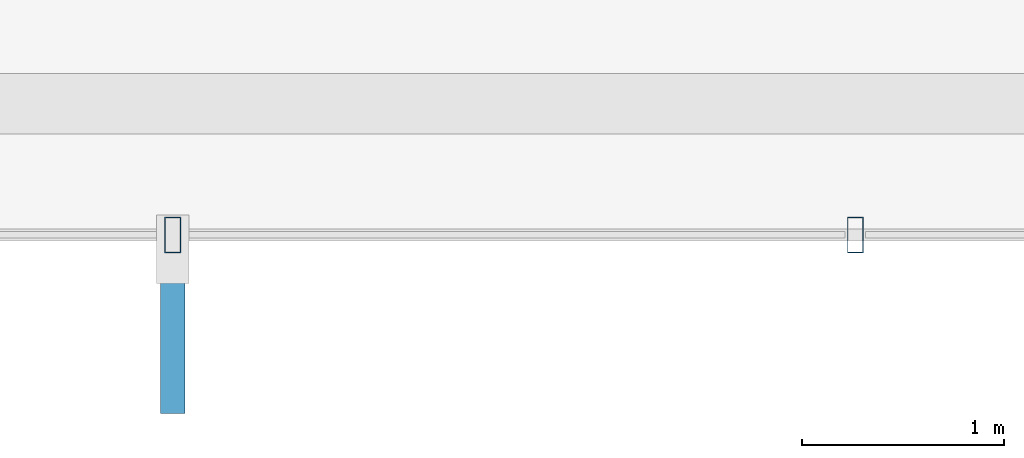
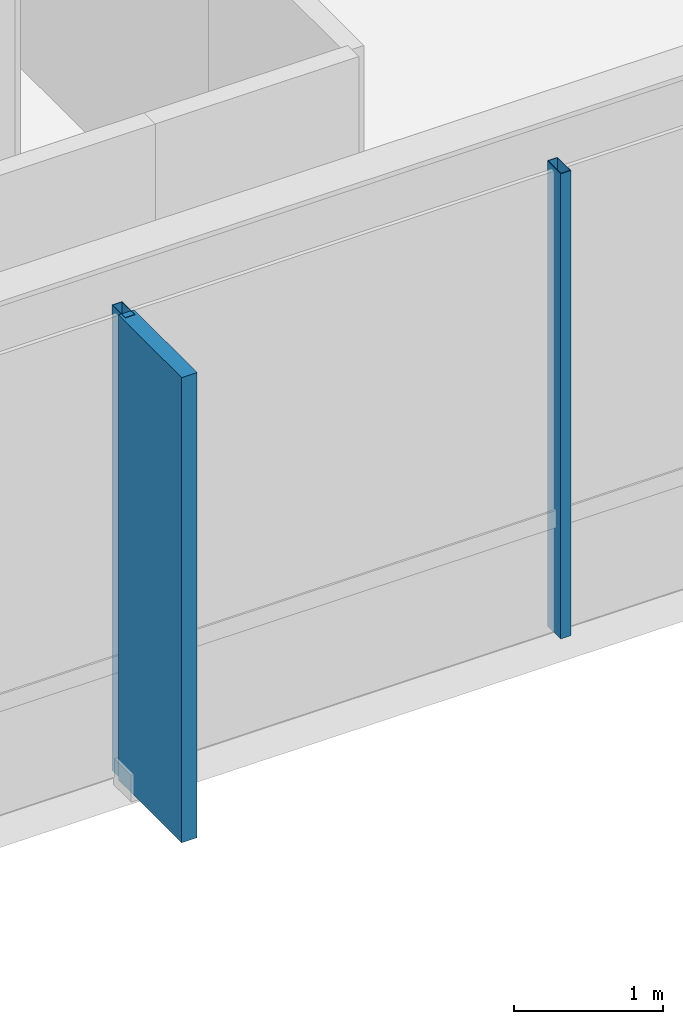
# One storey, part 8 of 24: 3 members, 1 element without a shape of its own.
"""IFC4 building model written with IfcOpenShell, lengths in metres."""

from ifc_helpers import new_model, si_unit, direction, frame, origin, origin_2d, place, context, subcontext, project, spatial, rectangle, hollow_rectangle, extrude, material, layer, layer_set, material_profile, profile_set, type_object, element, aggregate, save


model = new_model("IFC4")

# Units and contexts
model_context = context("Model", 3, precision=1e-05, world=origin(), true_north=direction((0.0, 1.0)))
body_context = subcontext(model_context, "Body", "Model", "MODEL_VIEW")
ifc_project = project(units=[si_unit("LENGTHUNIT", "METRE"), si_unit("AREAUNIT", "SQUARE_METRE"), si_unit("VOLUMEUNIT", "CUBIC_METRE"), si_unit("PLANEANGLEUNIT", "RADIAN"), si_unit("MASSUNIT", "GRAM", prefix="KILO")], contexts=[model_context])

# Site, building, storey
site_placement = place(None, origin())
site = spatial("IfcSite", under=ifc_project, at=site_placement, CompositionType="ELEMENT")
building_placement = place(site_placement, origin())
building = spatial("IfcBuilding", under=site, at=building_placement, Name="Zarrinselat Tower", CompositionType="ELEMENT")
storey_placement = place(building_placement, frame((0.0, 0.0, 76.5)))
storey = spatial("IfcBuildingStorey", under=building, at=storey_placement, Name="L18", CompositionType="ELEMENT", Elevation=76.5)

# Curtain wall, members
ifc_material_1 = material(Name="Extruded Aluminium Alloy EN AW-6063 T6", Category="aluminium")
ifc_layer = layer(ifc_material_1, 0.18505859375)
ifc_layer_set = layer_set([ifc_layer], Name="Extruded Aluminium Alloy EN AW-6063 T6")
curtain_wall_type = type_object("IfcCurtainWallType", Name="CWS-OFF", PredefinedType="NOTDEFINED", material=ifc_layer_set)
curtain_wall_placement = place(storey_placement, origin())
curtain_wall = element("IfcCurtainWall", 1, at=curtain_wall_placement, inside=storey, type_object=curtain_wall_type, Name="L18 Unitised Curtain Wall CW-L18-E04", PredefinedType="NOTDEFINED")
ifc_material_2 = material(Name="Extruded Aluminium Alloy EN AW-6063 T6", Category="aluminium")
ifc_material_profile_1 = material_profile(ifc_material_2, hollow_rectangle(XDim=0.080078125, YDim=0.179931640625, WallThickness=0.0048828125, at=origin_2d()), Name="RHS 180x80x5")
ifc_profile_set_1 = profile_set([ifc_material_profile_1], Name="Extruded Aluminium Alloy EN AW-6063 T6")
member_type_1 = type_object("IfcMemberType", Name="MEM-CW-MUL", PredefinedType="MULLION", material=ifc_profile_set_1)
member_1_placement = place(storey_placement, frame((41.78173828125, 18.60498046875, 0.0), z_axis=(0.0, 0.0, 1.0), x_axis=(1.0, 0.0, 0.0)))
member_1 = element("IfcMember", 2, at=member_1_placement, type_object=member_type_1, Name="CW-L18-E04 Mullion 5", PredefinedType="MULLION", context=body_context, shape_type="SweptSolid", body=[
    extrude(hollow_rectangle(XDim=0.080078125, YDim=0.179931640625, WallThickness=0.0048828125, at=origin_2d()), origin(), (0.0, 0.0, 1.0), 3.820068359375),
])
member_2_placement = place(storey_placement, frame((45.16357421875, 18.60498046875, 0.0), z_axis=(0.0, 0.0, 1.0), x_axis=(1.0, 0.0, 0.0)))
member_2 = element("IfcMember", 3, at=member_2_placement, type_object=member_type_1, Name="CW-L18-E04 Mullion 6", PredefinedType="MULLION", context=body_context, shape_type="SweptSolid", body=[
    extrude(hollow_rectangle(XDim=0.080078125, YDim=0.179931640625, WallThickness=0.0048828125, at=origin_2d()), origin(), (0.0, 0.0, 1.0), 3.820068359375),
])
ifc_material_3 = material(Name="Honed Cream Travertine Stone", Category="masonry")
ifc_material_profile_2 = material_profile(ifc_material_3, rectangle(XDim=0.1201171875, YDim=0.85009765625, at=origin_2d()), Name="FIN 850x120")
ifc_profile_set_2 = profile_set([ifc_material_profile_2], Name="Honed Cream Travertine Stone")
member_type_2 = type_object("IfcMemberType", Name="MEM-STONE-FIN", PredefinedType="USERDEFINED", material=ifc_profile_set_2)
member_3_placement = place(storey_placement, frame((41.78173828125, 18.14501953125, 0.0), z_axis=(0.0, 0.0, 1.0), x_axis=(-1.0, 0.0, 0.0)))
member_3 = element("IfcMember", 4, at=member_3_placement, type_object=member_type_2, Name="L18 Stone Shading Fin CW-L18-E04-05", ObjectType="FIN", PredefinedType="USERDEFINED", context=body_context, shape_type="SweptSolid", body=[
    extrude(rectangle(XDim=0.1201171875, YDim=0.85009765625, at=origin_2d()), origin(), (0.0, 0.0, 1.0), 3.820068359375),
])
aggregate(curtain_wall, [member_1, member_3, member_2])

save(model, "model.ifc")
